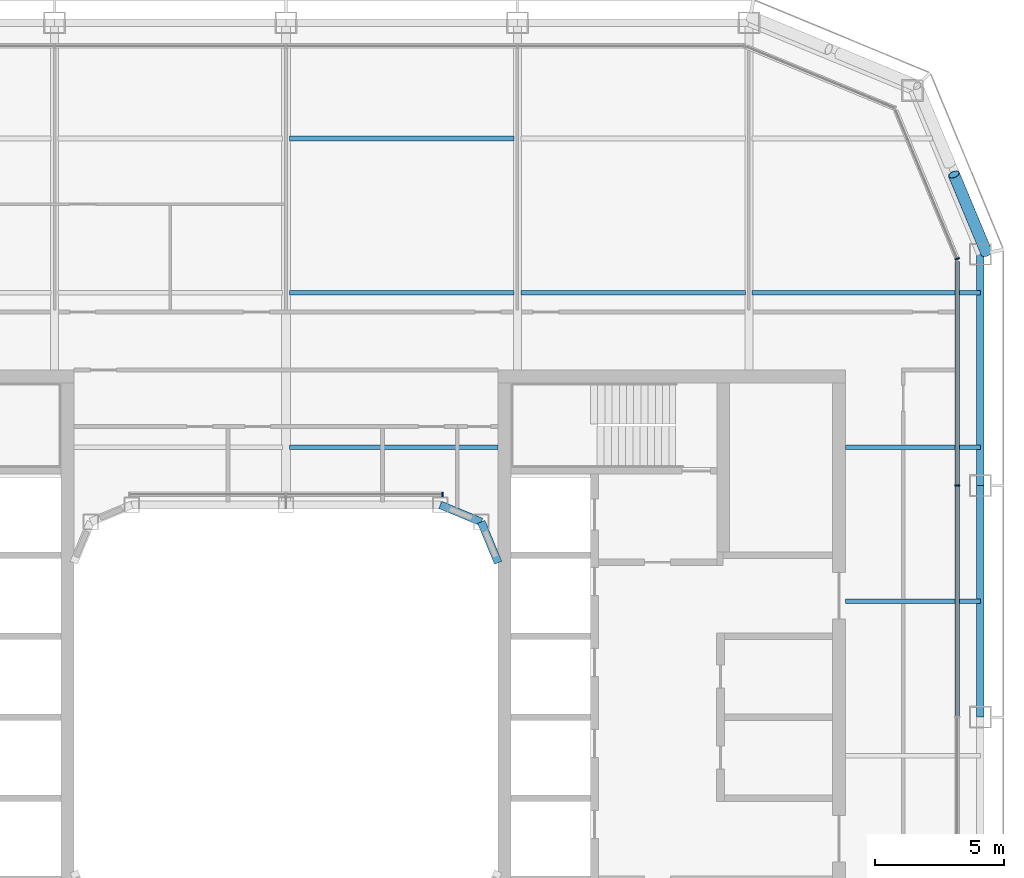
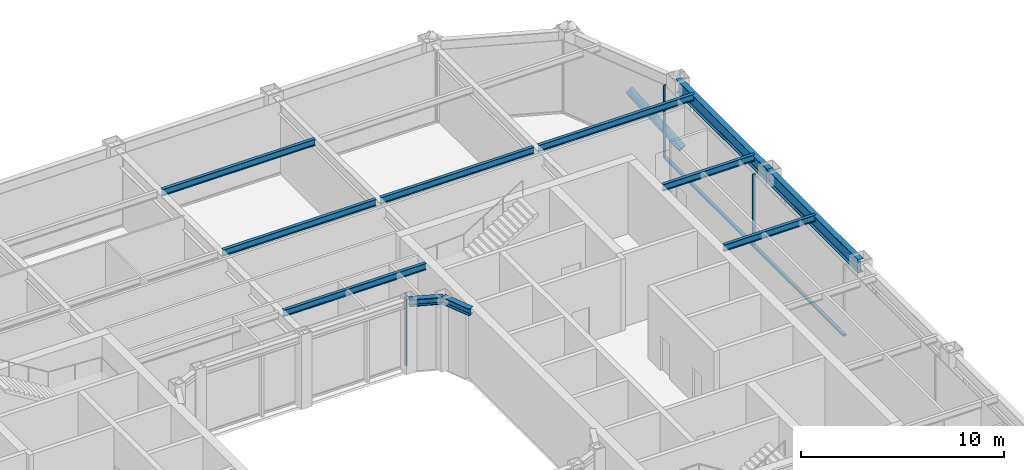
# One storey, part 9 of 19: 11 beams, 6 members, 3 elements without a shape of their own.
"""IFC4 building model written with IfcOpenShell, lengths in metres."""

from ifc_helpers import new_model, si_unit, direction, frame, origin, origin_2d, place, context, subcontext, project, spatial, rectangle, hollow_circle, i_section, extrude, material, layer, layer_set, material_profile, profile_set, type_object, element, aggregate, save


model = new_model("IFC4")

# Units and contexts
model_context = context("Model", 3, precision=1e-05, world=origin(), true_north=direction((0.0, 1.0)))
body_context = subcontext(model_context, "Body", "Model", "MODEL_VIEW")
ifc_project = project(units=[si_unit("LENGTHUNIT", "METRE"), si_unit("AREAUNIT", "SQUARE_METRE"), si_unit("VOLUMEUNIT", "CUBIC_METRE"), si_unit("PLANEANGLEUNIT", "RADIAN"), si_unit("MASSUNIT", "GRAM", prefix="KILO")], contexts=[model_context])

# Site, building, storey
site_placement = place(None, origin())
site = spatial("IfcSite", under=ifc_project, at=site_placement, CompositionType="ELEMENT")
building_placement = place(site_placement, origin())
building = spatial("IfcBuilding", under=site, at=building_placement, Name="Siwar Civic Tower", CompositionType="ELEMENT")
storey_placement = place(building_placement, frame((0.0, 0.0, 228.699951171875)))
storey = spatial("IfcBuildingStorey", under=building, at=storey_placement, Name="L49", CompositionType="ELEMENT", Elevation=228.699951171875)

# Curtain wall, member
ifc_material_1 = material(Name="Aluminium and glass", Category="aluminium")
ifc_layer_1 = layer(ifc_material_1, 0.179931640625)
ifc_layer_set_1 = layer_set([ifc_layer_1], Name="Aluminium and glass")
curtain_wall_type_1 = type_object("IfcCurtainWallType", Name="ENV-CW-C", PredefinedType="NOTDEFINED", material=ifc_layer_set_1)
curtain_wall_1_placement = place(storey_placement, origin())
curtain_wall_1 = element("IfcCurtainWall", 1, at=curtain_wall_1_placement, inside=storey, type_object=curtain_wall_type_1, Name="Curtain wall C E", PredefinedType="NOTDEFINED")
ifc_material_2 = material(Name="Aluminium 6063-T6", Category="aluminium")
ifc_material_profile_1 = material_profile(ifc_material_2, rectangle(XDim=0.179931640625, YDim=0.06005859375, at=origin_2d()), Name="AL 180x60")
ifc_profile_set_1 = profile_set([ifc_material_profile_1], Name="Aluminium 6063-T6")
member_type_1 = type_object("IfcMemberType", Name="ENV-MULLION-C", PredefinedType="MULLION", material=ifc_profile_set_1)
member_1_placement = place(storey_placement, frame((26.10009765625, 9.0, 0.0), z_axis=(0.0, 0.0, 1.0), x_axis=(-1.0, 0.0, 0.0)))
member_1 = element("IfcMember", 2, at=member_1_placement, type_object=member_type_1, Name="Mullion C E 4", PredefinedType="MULLION", context=body_context, shape_type="SweptSolid", body=[
    extrude(rectangle(XDim=0.179931640625, YDim=0.06005859375, at=origin_2d()), origin(), (0.0, 0.0, 1.0), 4.35009765625),
])

ifc_material_3 = material(Name="Aluminium clad insulated panel", Category="aluminium")
ifc_layer_2 = layer(ifc_material_3, 0.179931640625)
ifc_layer_set_2 = layer_set([ifc_layer_2], Name="Aluminium clad insulated panel")
curtain_wall_type_2 = type_object("IfcCurtainWallType", Name="ENV-CW-CX", PredefinedType="NOTDEFINED", material=ifc_layer_set_2)
curtain_wall_2_placement = place(storey_placement, origin())
curtain_wall_2 = element("IfcCurtainWall", 3, at=curtain_wall_2_placement, inside=storey, type_object=curtain_wall_type_2, Name="Curtain wall C NE1", PredefinedType="NOTDEFINED")
member_2_placement = place(storey_placement, frame((26.10009765625, 17.821044921875, 0.0), z_axis=(0.0, 0.0, 1.0), x_axis=(-0.923879532511, -0.382683432365, 0.0)))
member_2 = element("IfcMember", 4, at=member_2_placement, type_object=member_type_1, Name="Mullion C NE1 1", PredefinedType="MULLION", context=body_context, shape_type="SweptSolid", body=[
    extrude(rectangle(XDim=0.179931640625, YDim=0.06005859375, at=origin_2d()), origin(), (0.0, 0.0, 1.0), 4.35009765625),
])
aggregate(curtain_wall_2, [member_2])

ifc_material_4 = material(Name="Aluminium and glass", Category="aluminium")
ifc_layer_3 = layer(ifc_material_4, 0.179931640625)
ifc_layer_set_3 = layer_set([ifc_layer_3], Name="Aluminium and glass")
curtain_wall_type_3 = type_object("IfcCurtainWallType", Name="ENV-CW-W", PredefinedType="NOTDEFINED", material=ifc_layer_set_3)
curtain_wall_3_placement = place(storey_placement, origin())
curtain_wall_3 = element("IfcCurtainWall", 5, at=curtain_wall_3_placement, inside=storey, type_object=curtain_wall_type_3, Name="Curtain wall W WN", PredefinedType="NOTDEFINED")
ifc_material_5 = material(Name="Aluminium 6063-T6", Category="aluminium")
ifc_material_profile_2 = material_profile(ifc_material_5, rectangle(XDim=0.179931640625, YDim=0.06005859375, at=origin_2d()), Name="AL 180x60")
ifc_profile_set_2 = profile_set([ifc_material_profile_2], Name="Aluminium 6063-T6")
member_type_2 = type_object("IfcMemberType", Name="ENV-MULLION-W", PredefinedType="MULLION", material=ifc_profile_set_2)
member_3_placement = place(storey_placement, frame((6.08154296875, 8.659912109375, 0.0), z_axis=(0.0, 0.0, 1.0), x_axis=(0.0, -1.0, 0.0)))
member_3 = element("IfcMember", 6, at=member_3_placement, type_object=member_type_2, Name="Mullion W WN 1", PredefinedType="MULLION", context=body_context, shape_type="SweptSolid", body=[
    extrude(rectangle(XDim=0.179931640625, YDim=0.06005859375, at=origin_2d()), origin(), (0.0, 0.0, 1.0), 4.35009765625),
])
aggregate(curtain_wall_3, [member_3])

# Member
ifc_material_6 = material(Name="Aluminium 6063-T6", Category="aluminium")
ifc_material_profile_3 = material_profile(ifc_material_6, rectangle(XDim=0.179931640625, YDim=0.10009765625, at=origin_2d()), Name="AL 180x100")
ifc_profile_set_3 = profile_set([ifc_material_profile_3], Name="Aluminium 6063-T6")
member_type_3 = type_object("IfcMemberType", Name="ENV-TRANSOM-C", PredefinedType="USERDEFINED", material=ifc_profile_set_3)
member_4_placement = place(storey_placement, frame((26.10009765625, 0.030029296875, 0.050048828125), z_axis=(0.0, 1.0, 0.0), x_axis=(-1.0, 0.0, 0.0)))
member_4 = element("IfcMember", 7, at=member_4_placement, type_object=member_type_3, Name="Transom C E 3", ObjectType="TRANSOM", PredefinedType="USERDEFINED", context=body_context, shape_type="SweptSolid", body=[
    extrude(rectangle(XDim=0.179931640625, YDim=0.10009765625, at=origin_2d()), origin(), (0.0, 0.0, 1.0), 8.93994140625),
])

member_5_placement = place(storey_placement, frame((26.10009765625, 9.030029296875, 0.050048828125), z_axis=(0.0, 1.0, 0.0), x_axis=(-1.0, 0.0, 0.0)))
member_5 = element("IfcMember", 8, at=member_5_placement, type_object=member_type_3, Name="Transom C E 4", ObjectType="TRANSOM", PredefinedType="USERDEFINED", context=body_context, shape_type="SweptSolid", body=[
    extrude(rectangle(XDim=0.179931640625, YDim=0.10009765625, at=origin_2d()), origin(), (0.0, 0.0, 1.0), 8.68603515625),
])

aggregate(curtain_wall_1, [member_1, member_4, member_5])

ifc_material_7 = material(Name="Steel S355", Category="steel")
ifc_material_profile_4 = material_profile(ifc_material_7, hollow_circle(Radius=0.228515625, WallThickness=0.02001953125, at=origin_2d()), Name="CHS457x20")
ifc_profile_set_4 = profile_set([ifc_material_profile_4], Name="Steel S355")
member_type_4 = type_object("IfcMemberType", Name="STR-BR-CHS457x20", PredefinedType="BRACE", material=ifc_profile_set_4)
member_6_placement = place(storey_placement, frame((27.2451171875, 18.048828125, 0.0), z_axis=(-0.323884455881, 0.777546448489, 0.538999424564), x_axis=(-0.92311621485, -0.38452107079, 0.0)))
element("IfcMember", 9, at=member_6_placement, inside=storey, type_object=member_type_4, Name="L49/brc/CNE1-9-0-4", PredefinedType="BRACE", context=body_context, shape_type="SweptSolid", body=[
    extrude(hollow_circle(Radius=0.228515625, WallThickness=0.02001953125, at=origin_2d()), origin(), (0.0, 0.0, 1.0), 3.927978515625),
])

# Beams
ifc_material_8 = material(Name="Steel S355", Category="steel")
ifc_material_profile_5 = material_profile(ifc_material_8, i_section(OverallWidth=0.179931640625, OverallDepth=0.39990234375, WebThickness=0.008544921875, FlangeThickness=0.013427734375, FilletRadius=0.02099609375, at=origin_2d()), Name="IPE400")
ifc_profile_set_5 = profile_set([ifc_material_profile_5], Name="Steel S355")
beam_type_1 = type_object("IfcBeamType", Name="STR-FB-IPE400", PredefinedType="JOIST", material=ifc_profile_set_5)
beam_1_placement = place(storey_placement, frame((21.75, 4.5, 4.150146484375), z_axis=(1.0, 0.0, 0.0), x_axis=(0.0, 1.0, 0.0)))
element("IfcBeam", 10, at=beam_1_placement, inside=storey, type_object=beam_type_1, Name="L49/bm/F026", PredefinedType="JOIST", context=body_context, shape_type="SweptSolid", body=[
    extrude(i_section(OverallWidth=0.179931640625, OverallDepth=0.39990234375, WebThickness=0.008544921875, FlangeThickness=0.013427734375, FilletRadius=0.02099609375, at=origin_2d()), origin(), (0.0, 0.0, 1.0), 5.25),
])
beam_2_placement = place(storey_placement, frame((0.1298828125, 10.5, 4.150146484375), z_axis=(1.0, 0.0, 0.0), x_axis=(0.0, 1.0, 0.0)))
element("IfcBeam", 11, at=beam_2_placement, inside=storey, type_object=beam_type_1, Name="L49/bm/F029", PredefinedType="JOIST", context=body_context, shape_type="SweptSolid", body=[
    extrude(i_section(OverallWidth=0.179931640625, OverallDepth=0.39990234375, WebThickness=0.008544921875, FlangeThickness=0.013427734375, FilletRadius=0.02099609375, at=origin_2d()), origin(), (0.0, 0.0, 1.0), 8.1201171875),
])
beam_3_placement = place(storey_placement, frame((21.75, 10.5, 4.150146484375), z_axis=(1.0, 0.0, 0.0), x_axis=(0.0, 1.0, 0.0)))
element("IfcBeam", 12, at=beam_3_placement, inside=storey, type_object=beam_type_1, Name="L49/bm/F030", PredefinedType="JOIST", context=body_context, shape_type="SweptSolid", body=[
    extrude(i_section(OverallWidth=0.179931640625, OverallDepth=0.39990234375, WebThickness=0.008544921875, FlangeThickness=0.013427734375, FilletRadius=0.02099609375, at=origin_2d()), origin(), (0.0, 0.0, 1.0), 5.25),
])
for number, where, z_axis, x_axis, name in (
    (13, (0.1298828125, 16.5, 4.150146484375), (1.0, 0.0, 0.0), (0.0, 1.0, 0.0), "L49/bm/F034"),
    (14, (9.1298828125, 16.5, 4.150146484375), (1.0, 0.0, 0.0), (0.0, 1.0, 0.0), "L49/bm/F035"),
):
    element("IfcBeam", number, at=place(storey_placement, frame(where, z_axis=z_axis, x_axis=x_axis)), inside=storey, type_object=beam_type_1, Name=name, PredefinedType="JOIST", context=body_context, shape_type="SweptSolid", body=[
        extrude(i_section(OverallWidth=0.179931640625, OverallDepth=0.39990234375, WebThickness=0.008544921875, FlangeThickness=0.013427734375, FilletRadius=0.02099609375, at=origin_2d()), origin(), (0.0, 0.0, 1.0), 8.740234375),
    ])
beam_4_placement = place(storey_placement, frame((18.1298828125, 16.5, 4.150146484375), z_axis=(1.0, 0.0, 0.0), x_axis=(0.0, 1.0, 0.0)))
element("IfcBeam", 15, at=beam_4_placement, inside=storey, type_object=beam_type_1, Name="L49/bm/F036", PredefinedType="JOIST", context=body_context, shape_type="SweptSolid", body=[
    extrude(i_section(OverallWidth=0.179931640625, OverallDepth=0.39990234375, WebThickness=0.008544921875, FlangeThickness=0.013427734375, FilletRadius=0.02099609375, at=origin_2d()), origin(), (0.0, 0.0, 1.0), 8.8701171875),
])
beam_5_placement = place(storey_placement, frame((0.1298828125, 22.5, 4.150146484375), z_axis=(1.0, 0.0, 0.0), x_axis=(0.0, 1.0, 0.0)))
element("IfcBeam", 16, at=beam_5_placement, inside=storey, type_object=beam_type_1, Name="L49/bm/F040", PredefinedType="JOIST", context=body_context, shape_type="SweptSolid", body=[
    extrude(i_section(OverallWidth=0.179931640625, OverallDepth=0.39990234375, WebThickness=0.008544921875, FlangeThickness=0.013427734375, FilletRadius=0.02099609375, at=origin_2d()), origin(), (0.0, 0.0, 1.0), 8.740234375),
])
ifc_material_9 = material(Name="Steel S355", Category="steel")
ifc_material_profile_6 = material_profile(ifc_material_9, i_section(OverallWidth=0.306884765625, OverallDepth=0.431884765625, WebThickness=0.02099609375, FlangeThickness=0.0400390625, FilletRadius=0.027099609375, at=origin_2d()), Name="HEM400")
ifc_profile_set_6 = profile_set([ifc_material_profile_6], Name="Steel S355")
beam_type_2 = type_object("IfcBeamType", Name="STR-RB-HEM400", PredefinedType="BEAM", material=ifc_profile_set_6)
for number, where, z_axis, x_axis, name in (
    (17, (6.0, 8.25, 4.134033203125), (0.923901072997, -0.382631424892, 0.0), (0.382631424892, 0.923901072997, 0.0), "L49/bm/RN3"),
    (18, (7.591064453125, 7.591064453125, 4.134033203125), (0.382631424892, -0.923901072997, 0.0), (0.923901072997, 0.382631424892, 0.0), "L49/bm/RNEE"),
):
    element("IfcBeam", number, at=place(storey_placement, frame(where, z_axis=z_axis, x_axis=x_axis)), inside=storey, type_object=beam_type_2, Name=name, PredefinedType="BEAM", context=body_context, shape_type="SweptSolid", body=[
        extrude(i_section(OverallWidth=0.306884765625, OverallDepth=0.431884765625, WebThickness=0.02099609375, FlangeThickness=0.0400390625, FilletRadius=0.027099609375, at=origin_2d()), origin(), (0.0, 0.0, 1.0), 1.72216796875),
    ])
ifc_material_10 = material(Name="Steel S355", Category="steel")
ifc_material_profile_7 = material_profile(ifc_material_10, i_section(OverallWidth=0.300048828125, OverallDepth=0.800048828125, WebThickness=0.017578125, FlangeThickness=0.032958984375, FilletRadius=0.030029296875, at=origin_2d()), Name="HEB800")
ifc_profile_set_7 = profile_set([ifc_material_profile_7], Name="Steel S355")
beam_type_3 = type_object("IfcBeamType", Name="STR-SB-HEB800", PredefinedType="BEAM", material=ifc_profile_set_7)
for number, where, z_axis, x_axis, name in (
    (19, (27.0, 0.0, 3.949951171875), (0.0, 1.0, 0.0), (-1.0, 0.0, 0.0), "L49/bm/SE-2"),
    (20, (27.0, 9.0, 3.949951171875), (0.0, 1.0, 0.0), (-1.0, 0.0, 0.0), "L49/bm/SE-3"),
):
    element("IfcBeam", number, at=place(storey_placement, frame(where, z_axis=z_axis, x_axis=x_axis)), inside=storey, type_object=beam_type_3, Name=name, PredefinedType="BEAM", context=body_context, shape_type="SweptSolid", body=[
        extrude(i_section(OverallWidth=0.300048828125, OverallDepth=0.800048828125, WebThickness=0.017578125, FlangeThickness=0.032958984375, FilletRadius=0.030029296875, at=origin_2d()), origin(), (0.0, 0.0, 1.0), 9.0),
    ])

save(model, "model.ifc")
